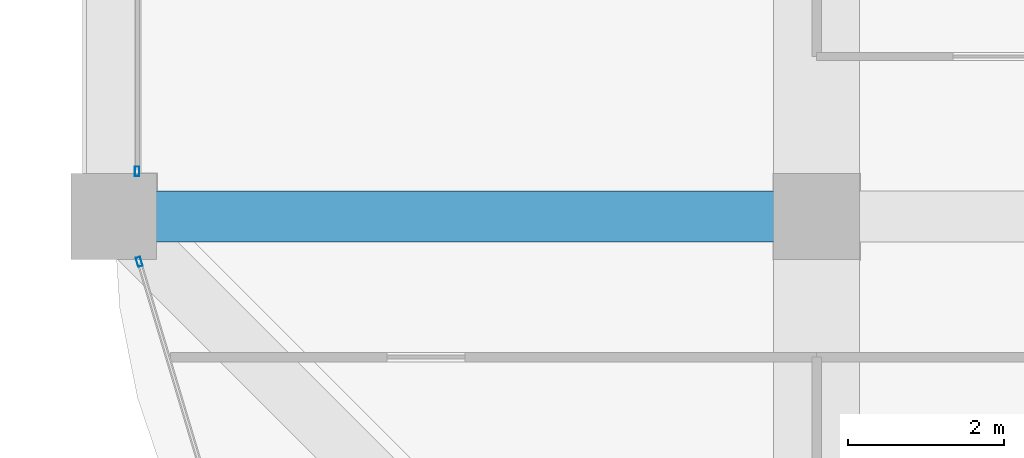
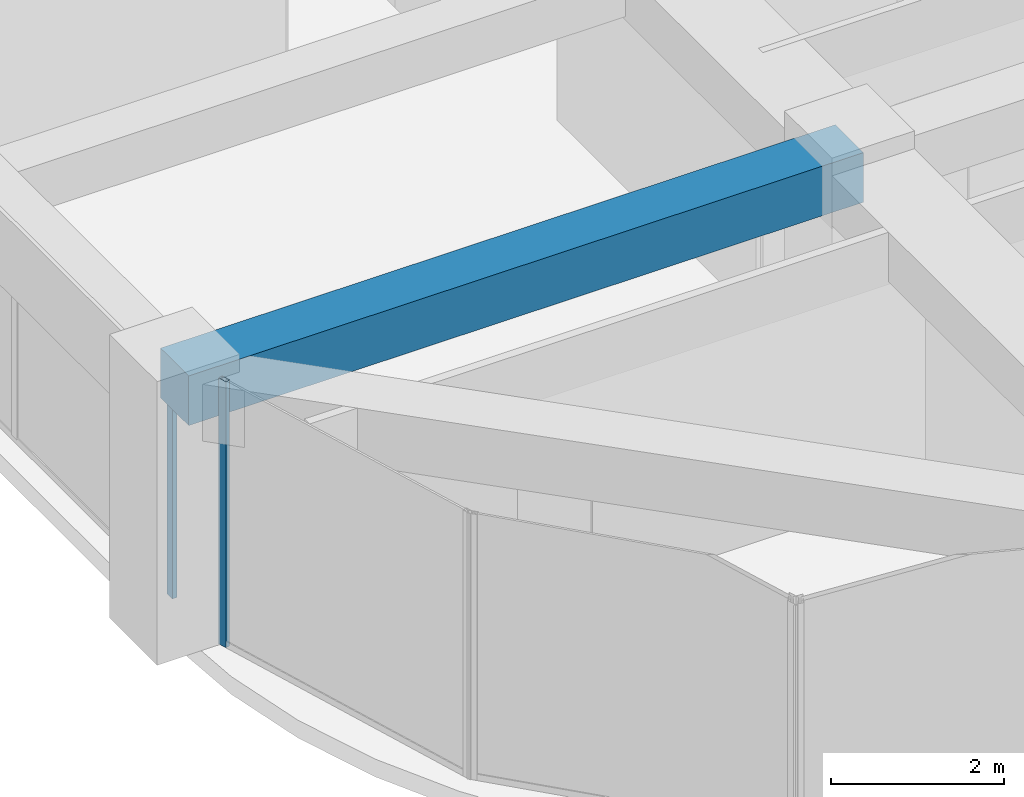
# One storey, part 6 of 45: 2 members, 1 beam, 2 elements without a shape of their own.
"""IFC4 building model written with IfcOpenShell, lengths in metres."""

from ifc_helpers import new_model, si_unit, direction, frame, origin, origin_2d, place, context, subcontext, project, spatial, rectangle, hollow_rectangle, extrude, material, material_profile, profile_set, type_object, element, aggregate, save


model = new_model("IFC4")

# Units and contexts
model_context = context("Model", 3, precision=1e-05, world=origin(), true_north=direction((0.0, 1.0)))
body_context = subcontext(model_context, "Body", "Model", "MODEL_VIEW")
ifc_project = project(units=[si_unit("LENGTHUNIT", "METRE"), si_unit("AREAUNIT", "SQUARE_METRE"), si_unit("VOLUMEUNIT", "CUBIC_METRE"), si_unit("PLANEANGLEUNIT", "RADIAN"), si_unit("MASSUNIT", "GRAM", prefix="KILO")], contexts=[model_context])

# Site, building, storey
site_placement = place(None, origin())
site = spatial("IfcSite", under=ifc_project, at=site_placement, CompositionType="ELEMENT")
building_placement = place(site_placement, origin())
building = spatial("IfcBuilding", under=site, at=building_placement, Name="Zorevar Civic Tower", CompositionType="ELEMENT")
storey_placement = place(building_placement, frame((0.0, 0.0, 247.39990234375)))
storey = spatial("IfcBuildingStorey", under=building, at=storey_placement, Name="L60", CompositionType="ELEMENT", Elevation=247.39990234375)

# Beam
ifc_material_1 = material(Name="Concrete C50/60", Category="concrete")
ifc_material_profile_1 = material_profile(ifc_material_1, rectangle(XDim=0.64990234375, YDim=0.699951171875, at=origin_2d()), Name="RC 650x700")
ifc_profile_set_1 = profile_set([ifc_material_profile_1], Name="Concrete C50/60")
beam_type = type_object("IfcBeamType", Name="Beam RC 650x700", PredefinedType="BEAM", material=ifc_profile_set_1)
beam_placement = place(storey_placement, frame((9.0, 9.0, 3.400146484375), z_axis=(1.0, 0.0, 0.0), x_axis=(0.0, 1.0, 0.0)))
element("IfcBeam", 1, at=beam_placement, inside=storey, type_object=beam_type, Name="Girder L61", PredefinedType="BEAM", context=body_context, shape_type="SweptSolid", body=[
    extrude(rectangle(XDim=0.64990234375, YDim=0.699951171875, at=origin_2d()), origin(), (0.0, 0.0, 1.0), 9.0),
])

# Curtain wall, member
ifc_material_2 = material(Name="Dark grey solar-control glass in black aluminium frame", Category="aluminium")
curtain_wall_type = type_object("IfcCurtainWallType", Name="Curtain wall CW5 top zone", PredefinedType="NOTDEFINED", material=ifc_material_2)
curtain_wall_1_placement = place(storey_placement, origin())
curtain_wall_1 = element("IfcCurtainWall", 2, at=curtain_wall_1_placement, inside=storey, type_object=curtain_wall_type, Name="CW5 L60", PredefinedType="NOTDEFINED")
ifc_material_3 = material(Name="Aluminium, black anodised", Category="aluminium")
ifc_material_profile_2 = material_profile(ifc_material_3, hollow_rectangle(XDim=0.06005859375, YDim=0.1201171875, WallThickness=0.0029296875, at=origin_2d()), Name="AL 120x60x3")
ifc_profile_set_2 = profile_set([ifc_material_profile_2], Name="Aluminium, black anodised")
member_type = type_object("IfcMemberType", Name="CW5 mullion AL 120x60x3", PredefinedType="MULLION", material=ifc_profile_set_2)
member_1_placement = place(storey_placement, frame((9.300048828125, 9.580078125, 0.0), z_axis=(0.0, 0.0, 1.0), x_axis=(-1.0, 0.0, 0.0)))
member_1 = element("IfcMember", 3, at=member_1_placement, type_object=member_type, Name="CW5 mullion 1", PredefinedType="MULLION", context=body_context, shape_type="SweptSolid", body=[
    extrude(hollow_rectangle(XDim=0.06005859375, YDim=0.1201171875, WallThickness=0.0029296875, at=origin_2d()), origin(), (0.0, 0.0, 1.0), 2.9501953125),
])
aggregate(curtain_wall_1, [member_1])

curtain_wall_2_placement = place(storey_placement, origin())
curtain_wall_2 = element("IfcCurtainWall", 4, at=curtain_wall_2_placement, inside=storey, type_object=curtain_wall_type, Name="CW5 L60", PredefinedType="NOTDEFINED")
member_2_placement = place(storey_placement, frame((9.326171875, 8.42138671875, 0.0), z_axis=(0.0, 0.0, 1.0), x_axis=(0.95782550907, 0.287350472723, 0.0)))
member_2 = element("IfcMember", 5, at=member_2_placement, type_object=member_type, Name="CW5 mullion 1", PredefinedType="MULLION", context=body_context, shape_type="SweptSolid", body=[
    extrude(hollow_rectangle(XDim=0.06005859375, YDim=0.1201171875, WallThickness=0.0029296875, at=origin_2d()), origin(), (0.0, 0.0, 1.0), 3.75),
])
aggregate(curtain_wall_2, [member_2])

save(model, "model.ifc")
